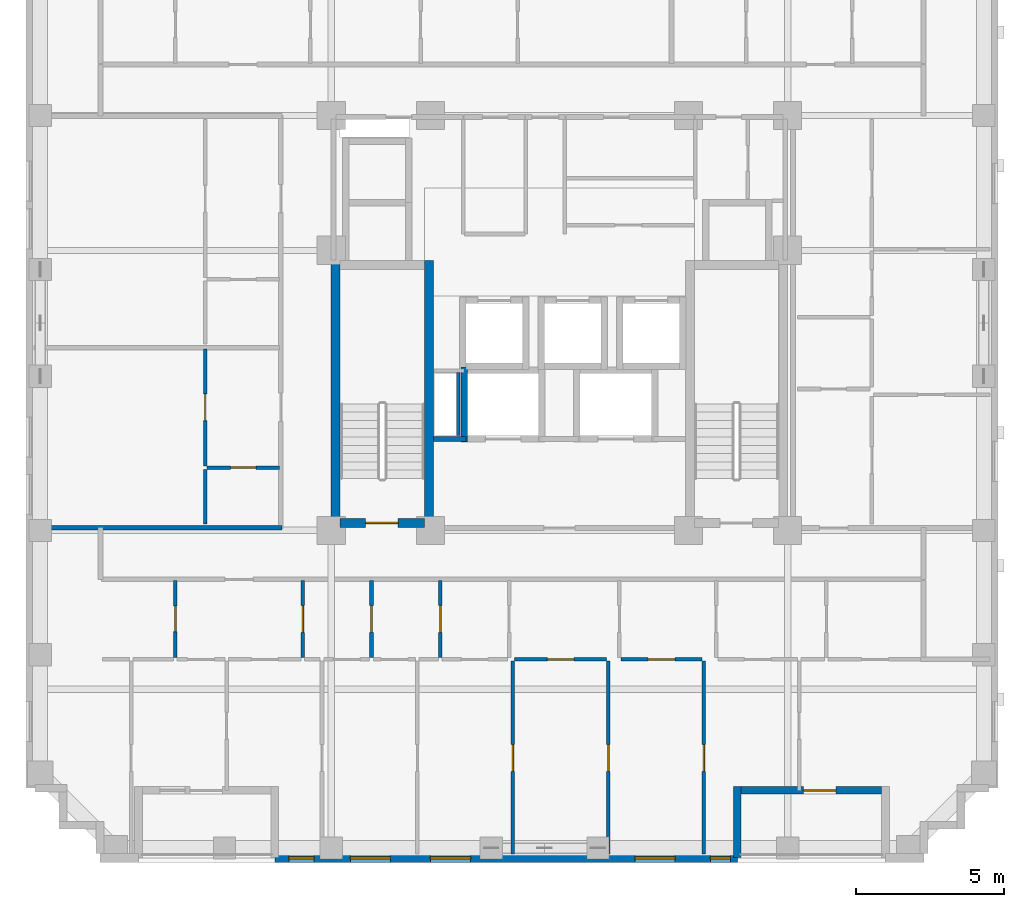
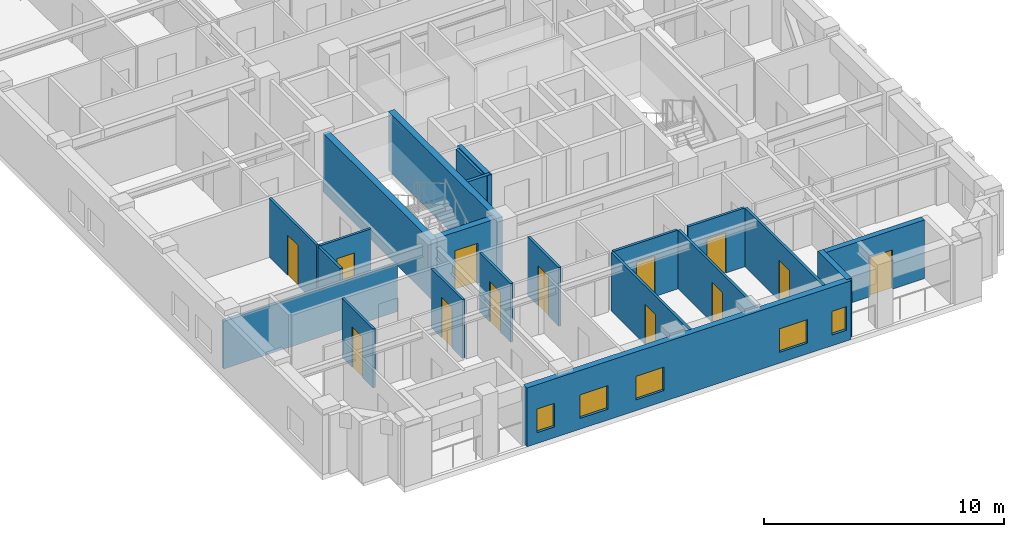
# One storey, part 3 of 12: 22 walls, 13 doors, 5 windows, 18 openings.
"""IFC4 building model written with IfcOpenShell, lengths in metres."""

from ifc_helpers import new_model, si_unit, derived_unit, direction, frame, frame_2d, origin, place, context, subcontext, project, spatial, rectangle, extrude, material, layer, layer_set, type_object, element, fill, save


model = new_model("IFC4")

# Units and contexts
model_context = context("Model", 3, precision=1e-05, world=origin(), true_north=direction((0.0, 1.0)))
body_context = subcontext(model_context, "Body", "Model", "MODEL_VIEW")
ifc_project = project(units=[si_unit("LENGTHUNIT", "METRE"), si_unit("AREAUNIT", "SQUARE_METRE"), si_unit("VOLUMEUNIT", "CUBIC_METRE"), si_unit("PLANEANGLEUNIT", "RADIAN"), si_unit("MASSUNIT", "GRAM", prefix="KILO"), derived_unit("THERMALTRANSMITTANCEUNIT", [(si_unit("MASSUNIT", "GRAM", prefix="KILO"), 1), (si_unit("TIMEUNIT", "SECOND"), -3), (si_unit("THERMODYNAMICTEMPERATUREUNIT", "KELVIN"), -1)])], contexts=[model_context])

# Site, building, storey
site_placement = place(None, origin())
site = spatial("IfcSite", under=ifc_project, at=site_placement, CompositionType="ELEMENT")
building_placement = place(site_placement, origin())
building = spatial("IfcBuilding", under=site, at=building_placement, Name="Korrvale Station Residences", CompositionType="ELEMENT")
storey_placement = place(building_placement, frame((0.0, 0.0, 130.89990234375)))
storey = spatial("IfcBuildingStorey", under=building, at=storey_placement, Name="L37", CompositionType="ELEMENT", Elevation=130.89990234375)

# Walls
ifc_material_1 = material(Name="Concrete C60/75", Category="concrete")
ifc_layer_1 = layer(ifc_material_1, 0.300048828125, Name="Concrete C60/75")
ifc_layer_set_1 = layer_set([ifc_layer_1], Name="Concrete C60/75")
wall_type_1 = type_object("IfcWallType", Name="WAL-CORE-300-C60", PredefinedType="SHEAR", material=ifc_layer_set_1)
for number, where, z_axis, x_axis, name in (
    (1, (17.949951171875, 15.10009765625, 0.0), (0.0, 0.0, 1.0), (0.0, 1.0, 0.0), "L37 ST-1 Core Shear Wall West"),
    (2, (21.10009765625, 15.10009765625, 0.0), (0.0, 0.0, 1.0), (0.0, 1.0, 0.0), "L37 ST-1 Core Shear Wall East"),
):
    element("IfcWall", number, at=place(storey_placement, frame(where, z_axis=z_axis, x_axis=x_axis)), inside=storey, type_object=wall_type_1, Name=name, PredefinedType="SHEAR", context=body_context, shape_type="SweptSolid", body=[
        extrude(rectangle(XDim=9.0, YDim=0.300048828125, at=frame_2d((4.5, 0.0))), origin(), (0.0, 0.0, 1.0), 2.989990234375),
    ])

# Wall, opening, door
wall_1_placement = place(storey_placement, frame((18.10009765625, 15.25, 0.0), z_axis=(0.0, 0.0, 1.0), x_axis=(1.0, 0.0, 0.0)))
wall_1 = element("IfcWall", 3, at=wall_1_placement, inside=storey, type_object=wall_type_1, Name="L37 ST-1 Core Shear Wall South", PredefinedType="SHEAR", context=body_context, shape_type="SweptSolid", body=[
    extrude(rectangle(XDim=2.849853515625, YDim=0.300048828125, at=frame_2d((1.4248046875, 0.0))), origin(), (0.0, 0.0, 1.0), 2.989990234375),
])
opening_1_placement = place(wall_1_placement, frame((0.860107421875, 0.0, 0.0)))
opening_1 = element("IfcOpeningElement", 4, at=opening_1_placement, cuts=wall_1, Name="Opening SD-1100", PredefinedType="OPENING", context=body_context, shape_type="SweptSolid", body=[
    extrude(rectangle(XDim=1.10009765625, YDim=2.050048828125, at=frame_2d((0.550048828125, 1.02490234375))), frame((0.0, 0.16015625, 0.0), z_axis=(0.0, -1.0, 0.0), x_axis=(1.0, 0.0, 0.0)), (0.0, 0.0, 1.0), 0.320068359375),
])
ifc_material_2 = material(Name="Hollow-metal fire-rated stair door with closer", Category="steel")
door_type_1 = type_object("IfcDoorType", Name="DR-STAIR-1100", OperationType="NOTDEFINED", PredefinedType="DOOR", material=ifc_material_2)
door_1_placement = place(opening_1_placement, origin())
door_1 = element("IfcDoor", 5, at=door_1_placement, inside=storey, type_object=door_type_1, Name="L37 ST-1 Exit Stair Door", OperationType="SINGLE_SWING_LEFT", OverallHeight=2.050048828125, OverallWidth=1.10009765625, PredefinedType="DOOR", context=body_context, shape_type="SweptSolid", body=[
    extrude(rectangle(XDim=1.10009765625, YDim=2.050048828125, at=frame_2d((0.550048828125, 1.02490234375))), frame((0.0, 0.02490234375, 0.0), z_axis=(0.0, -1.0, 0.0), x_axis=(1.0, 0.0, 0.0)), (0.0, 0.0, 1.0), 0.050048828125),
])
fill(opening_1, door_1)

ifc_material_3 = material(Name="Precast concrete C45/55", Category="concrete")
ifc_layer_2 = layer(ifc_material_3, 0.260009765625, Name="Precast concrete C45/55")
ifc_layer_set_2 = layer_set([ifc_layer_2], Name="Precast concrete C45/55")
wall_type_2 = type_object("IfcWallType", Name="WAL-EXT-LOG260", PredefinedType="SOLIDWALL", material=ifc_layer_set_2)
wall_2_placement = place(storey_placement, frame((36.365966796875, 6.22998046875, 0.0), z_axis=(0.0, 0.0, 1.0), x_axis=(-1.0, 0.0, 0.0)))
wall_2 = element("IfcWall", 6, at=wall_2_placement, inside=storey, type_object=wall_type_2, Name="L37 Recessed Loggia Wall BAL-L37-S2-B", PredefinedType="SOLIDWALL", context=body_context, shape_type="SweptSolid", body=[
    extrude(rectangle(XDim=4.73193359375, YDim=0.260009765625, at=frame_2d((2.365966796875, 0.0))), origin(), (0.0, 0.0, 1.0), 2.989990234375),
])
opening_2_placement = place(wall_2_placement, frame((1.535888671875, 0.0, 0.0)))
opening_2 = element("IfcOpeningElement", 7, at=opening_2_placement, cuts=wall_2, Name="Opening BD-01", PredefinedType="OPENING", context=body_context, shape_type="SweptSolid", body=[
    extrude(rectangle(XDim=1.10009765625, YDim=2.0, at=frame_2d((0.550048828125, 1.0))), frame((0.0, 0.14013671875, 0.0), z_axis=(0.0, -1.0, 0.0), x_axis=(1.0, 0.0, 0.0)), (0.0, 0.0, 1.0), 0.280029296875),
])
ifc_material_4 = material(Name="Exterior thermally broken aluminium glazed balcony door", Category="aluminium")
door_type_2 = type_object("IfcDoorType", Name="DR-EXT-BAL", OperationType="NOTDEFINED", PredefinedType="DOOR", material=ifc_material_4)
door_2_placement = place(opening_2_placement, origin())
door_2 = element("IfcDoor", 8, at=door_2_placement, inside=storey, type_object=door_type_2, Name="L37 Loggia Balcony Door BAL-L37-S2", OperationType="SINGLE_SWING_RIGHT", OverallHeight=2.0, OverallWidth=1.10009765625, PredefinedType="DOOR", context=body_context, shape_type="SweptSolid", body=[
    extrude(rectangle(XDim=1.10009765625, YDim=2.0, at=frame_2d((0.550048828125, 1.0))), frame((0.0, 0.02490234375, 0.0), z_axis=(0.0, -1.0, 0.0), x_axis=(1.0, 0.0, 0.0)), (0.0, 0.0, 1.0), 0.050048828125),
])
fill(opening_2, door_2)

# Wall
wall_3_placement = place(storey_placement, frame((31.5, 6.360107421875, 0.0), z_axis=(0.0, 0.0, 1.0), x_axis=(0.0, -1.0, 0.0)))
element("IfcWall", 9, at=wall_3_placement, inside=storey, type_object=wall_type_2, Name="L37 Recessed Loggia Wall BAL-L37-S2-R", PredefinedType="SOLIDWALL", context=body_context, shape_type="SweptSolid", body=[
    extrude(rectangle(XDim=2.400146484375, YDim=0.260009765625, at=frame_2d((1.2001953125, 0.0))), origin(), (0.0, 0.0, 1.0), 2.989990234375),
])

# Wall, openings, windows
ifc_layer_3 = layer(ifc_material_3, 0.300048828125, Name="Precast concrete C45/55")
ifc_layer_set_3 = layer_set([ifc_layer_3], Name="Precast concrete C45/55")
wall_type_3 = type_object("IfcWallType", Name="WAL-EXT-PC300", PredefinedType="SOLIDWALL", material=ifc_layer_set_3)
wall_4_placement = place(storey_placement, frame((31.5, 3.949951171875, 0.0), z_axis=(0.0, 0.0, 1.0), x_axis=(-1.0, 0.0, 0.0)))
wall_4 = element("IfcWall", 10, at=wall_4_placement, inside=storey, type_object=wall_type_3, Name="L37 South Exterior Precast Wall 2", PredefinedType="SOLIDWALL", context=body_context, shape_type="SweptSolid", body=[
    extrude(rectangle(XDim=15.60009765625, YDim=0.300048828125, at=frame_2d((7.800048828125, 0.0))), origin(), (0.0, 0.0, 1.0), 2.989990234375),
])
opening_3_placement = place(wall_4_placement, frame((14.27490234375, 0.0, 0.550048828125)))
opening_3 = element("IfcOpeningElement", 11, at=opening_3_placement, cuts=wall_4, Name="Opening W-11", PredefinedType="OPENING", context=body_context, shape_type="SweptSolid", body=[
    extrude(rectangle(XDim=0.85009765625, YDim=1.199951171875, at=frame_2d((0.425048828125, 0.60009765625))), frame((0.0, 0.16015625, 0.0), z_axis=(0.0, -1.0, 0.0), x_axis=(1.0, 0.0, 0.0)), (0.0, 0.0, 1.0), 0.320068359375),
])
opening_4_placement = place(wall_4_placement, frame((11.699951171875, 0.0, 0.550048828125)))
opening_4 = element("IfcOpeningElement", 12, at=opening_4_placement, cuts=wall_4, Name="Opening W-10", PredefinedType="OPENING", context=body_context, shape_type="SweptSolid", body=[
    extrude(rectangle(XDim=1.35009765625, YDim=1.199951171875, at=frame_2d((0.675048828125, 0.60009765625))), frame((0.0, 0.16015625, 0.0), z_axis=(0.0, -1.0, 0.0), x_axis=(1.0, 0.0, 0.0)), (0.0, 0.0, 1.0), 0.320068359375),
])
opening_5_placement = place(wall_4_placement, frame((9.0, 0.0, 0.550048828125)))
opening_5 = element("IfcOpeningElement", 13, at=opening_5_placement, cuts=wall_4, Name="Opening W-10", PredefinedType="OPENING", context=body_context, shape_type="SweptSolid", body=[
    extrude(rectangle(XDim=1.35009765625, YDim=1.199951171875, at=frame_2d((0.675048828125, 0.60009765625))), frame((0.0, 0.16015625, 0.0), z_axis=(0.0, -1.0, 0.0), x_axis=(1.0, 0.0, 0.0)), (0.0, 0.0, 1.0), 0.320068359375),
])
opening_6_placement = place(wall_4_placement, frame((2.10009765625, 0.0, 0.550048828125)))
opening_6 = element("IfcOpeningElement", 14, at=opening_6_placement, cuts=wall_4, Name="Opening W-10", PredefinedType="OPENING", context=body_context, shape_type="SweptSolid", body=[
    extrude(rectangle(XDim=1.35009765625, YDim=1.199951171875, at=frame_2d((0.675048828125, 0.60009765625))), frame((0.0, 0.16015625, 0.0), z_axis=(0.0, -1.0, 0.0), x_axis=(1.0, 0.0, 0.0)), (0.0, 0.0, 1.0), 0.320068359375),
])
opening_7_placement = place(wall_4_placement, frame((0.22998046875, 0.0, 0.550048828125)))
opening_7 = element("IfcOpeningElement", 15, at=opening_7_placement, cuts=wall_4, Name="Opening W-12", PredefinedType="OPENING", context=body_context, shape_type="SweptSolid", body=[
    extrude(rectangle(XDim=0.679931640625, YDim=1.199951171875, at=frame_2d((0.33984375, 0.60009765625))), frame((0.0, 0.16015625, 0.0), z_axis=(0.0, -1.0, 0.0), x_axis=(1.0, 0.0, 0.0)), (0.0, 0.0, 1.0), 0.320068359375),
])
ifc_material_5 = material(Name="Thermally broken aluminium frame with triple low-e glazing", Category="aluminium")
window_type_1 = type_object("IfcWindowType", Name="WIN-W10", PartitioningType="SINGLE_PANEL", PredefinedType="WINDOW", material=ifc_material_5)
window_1_placement = place(opening_4_placement, origin())
window_1 = element("IfcWindow", 16, at=window_1_placement, inside=storey, type_object=window_type_1, Name="L37 Punched Window 04", OverallHeight=1.199951171875, OverallWidth=1.35009765625, PartitioningType="SINGLE_PANEL", PredefinedType="WINDOW", context=body_context, shape_type="SweptSolid", body=[
    extrude(rectangle(XDim=1.35009765625, YDim=1.199951171875, at=frame_2d((0.675048828125, 0.60009765625))), frame((0.0, 0.030029296875, 0.0), z_axis=(0.0, -1.0, 0.0), x_axis=(1.0, 0.0, 0.0)), (0.0, 0.0, 1.0), 0.06005859375),
])
fill(opening_4, window_1)
window_2_placement = place(opening_5_placement, origin())
window_2 = element("IfcWindow", 17, at=window_2_placement, inside=storey, type_object=window_type_1, Name="L37 Punched Window 05", OverallHeight=1.199951171875, OverallWidth=1.35009765625, PartitioningType="SINGLE_PANEL", PredefinedType="WINDOW", context=body_context, shape_type="SweptSolid", body=[
    extrude(rectangle(XDim=1.35009765625, YDim=1.199951171875, at=frame_2d((0.675048828125, 0.60009765625))), frame((0.0, 0.030029296875, 0.0), z_axis=(0.0, -1.0, 0.0), x_axis=(1.0, 0.0, 0.0)), (0.0, 0.0, 1.0), 0.06005859375),
])
fill(opening_5, window_2)
window_3_placement = place(opening_6_placement, origin())
window_3 = element("IfcWindow", 18, at=window_3_placement, inside=storey, type_object=window_type_1, Name="L37 Punched Window 06", OverallHeight=1.199951171875, OverallWidth=1.35009765625, PartitioningType="SINGLE_PANEL", PredefinedType="WINDOW", context=body_context, shape_type="SweptSolid", body=[
    extrude(rectangle(XDim=1.35009765625, YDim=1.199951171875, at=frame_2d((0.675048828125, 0.60009765625))), frame((0.0, 0.030029296875, 0.0), z_axis=(0.0, -1.0, 0.0), x_axis=(1.0, 0.0, 0.0)), (0.0, 0.0, 1.0), 0.06005859375),
])
fill(opening_6, window_3)
window_type_2 = type_object("IfcWindowType", Name="WIN-W11", PartitioningType="SINGLE_PANEL", PredefinedType="WINDOW", material=ifc_material_5)
window_4_placement = place(opening_3_placement, origin())
window_4 = element("IfcWindow", 19, at=window_4_placement, inside=storey, type_object=window_type_2, Name="L37 Punched Window 03", OverallHeight=1.199951171875, OverallWidth=0.85009765625, PartitioningType="SINGLE_PANEL", PredefinedType="WINDOW", context=body_context, shape_type="SweptSolid", body=[
    extrude(rectangle(XDim=0.85009765625, YDim=1.199951171875, at=frame_2d((0.425048828125, 0.60009765625))), frame((0.0, 0.030029296875, 0.0), z_axis=(0.0, -1.0, 0.0), x_axis=(1.0, 0.0, 0.0)), (0.0, 0.0, 1.0), 0.06005859375),
])
fill(opening_3, window_4)
window_type_3 = type_object("IfcWindowType", Name="WIN-W12", PartitioningType="SINGLE_PANEL", PredefinedType="WINDOW", material=ifc_material_5)
window_5_placement = place(opening_7_placement, origin())
window_5 = element("IfcWindow", 20, at=window_5_placement, inside=storey, type_object=window_type_3, Name="L37 Punched Window 07", OverallHeight=1.199951171875, OverallWidth=0.679931640625, PartitioningType="SINGLE_PANEL", PredefinedType="WINDOW", context=body_context, shape_type="SweptSolid", body=[
    extrude(rectangle(XDim=0.679931640625, YDim=1.199951171875, at=frame_2d((0.33984375, 0.60009765625))), frame((0.0, 0.030029296875, 0.0), z_axis=(0.0, -1.0, 0.0), x_axis=(1.0, 0.0, 0.0)), (0.0, 0.0, 1.0), 0.06005859375),
])
fill(opening_7, window_5)

# Wall
ifc_material_6 = material(Name="Acoustic steel-stud gypsum board partition", Category="steel")
ifc_layer_4 = layer(ifc_material_6, 0.1201171875, Name="Acoustic steel-stud gypsum board partition")
ifc_layer_set_4 = layer_set([ifc_layer_4], Name="Acoustic steel-stud gypsum board partition")
wall_type_4 = type_object("IfcWallType", Name="WAL-PART-125", PredefinedType="PARTITIONING", material=ifc_layer_set_4)
wall_5_placement = place(storey_placement, frame((22.080078125, 18.199951171875, 0.0), z_axis=(0.0, 0.0, 1.0), x_axis=(0.0, 1.0, 0.0)))
element("IfcWall", 21, at=wall_5_placement, inside=storey, type_object=wall_type_4, Name="L37 Core Partition CW-RSWT", PredefinedType="PARTITIONING", context=body_context, shape_type="SweptSolid", body=[
    extrude(rectangle(XDim=2.1201171875, YDim=0.1201171875, at=frame_2d((1.06005859375, 0.0))), origin(), (0.0, 0.0, 1.0), 2.989990234375),
])

# Wall, opening, door
wall_6_placement = place(storey_placement, frame((12.5400390625, 10.7099609375, 0.0), z_axis=(0.0, 0.0, 1.0), x_axis=(0.0, 1.0, 0.0)))
wall_6 = element("IfcWall", 22, at=wall_6_placement, inside=storey, type_object=wall_type_4, Name="L37 Suite Partition U01-V01", PredefinedType="PARTITIONING", context=body_context, shape_type="SweptSolid", body=[
    extrude(rectangle(XDim=2.60009765625, YDim=0.1201171875, at=frame_2d((1.300048828125, 0.0))), origin(), (0.0, 0.0, 1.0), 2.989990234375),
])
opening_8_placement = place(wall_6_placement, frame((0.8701171875, 0.0, 0.0)))
opening_8 = element("IfcOpeningElement", 23, at=opening_8_placement, cuts=wall_6, Name="Opening DB-860", PredefinedType="OPENING", context=body_context, shape_type="SweptSolid", body=[
    extrude(rectangle(XDim=0.860107421875, YDim=2.050048828125, at=frame_2d((0.43017578125, 1.02490234375))), frame((0.0, 0.070068359375, 0.0), z_axis=(0.0, -1.0, 0.0), x_axis=(1.0, 0.0, 0.0)), (0.0, 0.0, 1.0), 0.14013671875),
])
ifc_material_7 = material(Name="Moisture-resistant solid-core bathroom door", Category="timber")
door_type_3 = type_object("IfcDoorType", Name="DR-BATH-860", OperationType="NOTDEFINED", PredefinedType="DOOR", material=ifc_material_7)
door_3_placement = place(opening_8_placement, origin())
door_3 = element("IfcDoor", 24, at=door_3_placement, inside=storey, type_object=door_type_3, Name="L37 Studio Apartment L37-U01 Bathroom Door", OperationType="SINGLE_SWING_LEFT", OverallHeight=2.050048828125, OverallWidth=0.860107421875, PredefinedType="DOOR", context=body_context, shape_type="SweptSolid", body=[
    extrude(rectangle(XDim=0.860107421875, YDim=2.050048828125, at=frame_2d((0.43017578125, 1.02490234375))), frame((0.0, 0.02490234375, 0.0), z_axis=(0.0, -1.0, 0.0), x_axis=(1.0, 0.0, 0.0)), (0.0, 0.0, 1.0), 0.050048828125),
])
fill(opening_8, door_3)

wall_7_placement = place(storey_placement, frame((16.840087890625, 10.7099609375, 0.0), z_axis=(0.0, 0.0, 1.0), x_axis=(0.0, 1.0, 0.0)))
wall_7 = element("IfcWall", 25, at=wall_7_placement, inside=storey, type_object=wall_type_4, Name="L37 Suite Partition U01-V12", PredefinedType="PARTITIONING", context=body_context, shape_type="SweptSolid", body=[
    extrude(rectangle(XDim=2.60009765625, YDim=0.1201171875, at=frame_2d((1.300048828125, 0.0))), origin(), (0.0, 0.0, 1.0), 2.989990234375),
])
opening_9_placement = place(wall_7_placement, frame((0.85009765625, 0.0, 0.0)))
opening_9 = element("IfcOpeningElement", 26, at=opening_9_placement, cuts=wall_7, Name="Opening DI-900", PredefinedType="OPENING", context=body_context, shape_type="SweptSolid", body=[
    extrude(rectangle(XDim=0.89990234375, YDim=2.050048828125, at=frame_2d((0.449951171875, 1.02490234375))), frame((0.0, 0.070068359375, 0.0), z_axis=(0.0, -1.0, 0.0), x_axis=(1.0, 0.0, 0.0)), (0.0, 0.0, 1.0), 0.14013671875),
])
ifc_material_8 = material(Name="Painted solid-core timber interior room door", Category="wood")
door_type_4 = type_object("IfcDoorType", Name="DR-INT-900", OperationType="NOTDEFINED", PredefinedType="DOOR", material=ifc_material_8)
door_4_placement = place(opening_9_placement, origin())
door_4 = element("IfcDoor", 27, at=door_4_placement, inside=storey, type_object=door_type_4, Name="L37 Studio Apartment L37-U01 Kitchen Door", OperationType="SINGLE_SWING_RIGHT", OverallHeight=2.050048828125, OverallWidth=0.89990234375, PredefinedType="DOOR", context=body_context, shape_type="SweptSolid", body=[
    extrude(rectangle(XDim=0.89990234375, YDim=2.050048828125, at=frame_2d((0.449951171875, 1.02490234375))), frame((0.0, 0.02490234375, 0.0), z_axis=(0.0, -1.0, 0.0), x_axis=(1.0, 0.0, 0.0)), (0.0, 0.0, 1.0), 0.050048828125),
])
fill(opening_9, door_4)

wall_8_placement = place(storey_placement, frame((19.159912109375, 10.7099609375, 0.0), z_axis=(0.0, 0.0, 1.0), x_axis=(0.0, 1.0, 0.0)))
wall_8 = element("IfcWall", 28, at=wall_8_placement, inside=storey, type_object=wall_type_4, Name="L37 Suite Partition U01-V23", PredefinedType="PARTITIONING", context=body_context, shape_type="SweptSolid", body=[
    extrude(rectangle(XDim=2.60009765625, YDim=0.1201171875, at=frame_2d((1.300048828125, 0.0))), origin(), (0.0, 0.0, 1.0), 2.989990234375),
])
opening_10_placement = place(wall_8_placement, frame((0.85009765625, 0.0, 0.0)))
opening_10 = element("IfcOpeningElement", 29, at=opening_10_placement, cuts=wall_8, Name="Opening DI-900", PredefinedType="OPENING", context=body_context, shape_type="SweptSolid", body=[
    extrude(rectangle(XDim=0.89990234375, YDim=2.050048828125, at=frame_2d((0.449951171875, 1.02490234375))), frame((0.0, 0.070068359375, 0.0), z_axis=(0.0, -1.0, 0.0), x_axis=(1.0, 0.0, 0.0)), (0.0, 0.0, 1.0), 0.14013671875),
])
door_5_placement = place(opening_10_placement, origin())
door_5 = element("IfcDoor", 30, at=door_5_placement, inside=storey, type_object=door_type_4, Name="L37 Studio Apartment L37-U01 Wardrobe Storage Room Door", OperationType="SINGLE_SWING_LEFT", OverallHeight=2.050048828125, OverallWidth=0.89990234375, PredefinedType="DOOR", context=body_context, shape_type="SweptSolid", body=[
    extrude(rectangle(XDim=0.89990234375, YDim=2.050048828125, at=frame_2d((0.449951171875, 1.02490234375))), frame((0.0, 0.02490234375, 0.0), z_axis=(0.0, -1.0, 0.0), x_axis=(1.0, 0.0, 0.0)), (0.0, 0.0, 1.0), 0.050048828125),
])
fill(opening_10, door_5)

wall_9_placement = place(storey_placement, frame((21.47998046875, 10.7099609375, 0.0), z_axis=(0.0, 0.0, 1.0), x_axis=(0.0, 1.0, 0.0)))
wall_9 = element("IfcWall", 31, at=wall_9_placement, inside=storey, type_object=wall_type_4, Name="L37 Suite Partition U01-V34", PredefinedType="PARTITIONING", context=body_context, shape_type="SweptSolid", body=[
    extrude(rectangle(XDim=2.60009765625, YDim=0.1201171875, at=frame_2d((1.300048828125, 0.0))), origin(), (0.0, 0.0, 1.0), 2.989990234375),
])
opening_11_placement = place(wall_9_placement, frame((0.85009765625, 0.0, 0.0)))
opening_11 = element("IfcOpeningElement", 32, at=opening_11_placement, cuts=wall_9, Name="Opening DI-900", PredefinedType="OPENING", context=body_context, shape_type="SweptSolid", body=[
    extrude(rectangle(XDim=0.89990234375, YDim=2.050048828125, at=frame_2d((0.449951171875, 1.02490234375))), frame((0.0, 0.070068359375, 0.0), z_axis=(0.0, -1.0, 0.0), x_axis=(1.0, 0.0, 0.0)), (0.0, 0.0, 1.0), 0.14013671875),
])
door_6_placement = place(opening_11_placement, origin())
door_6 = element("IfcDoor", 33, at=door_6_placement, inside=storey, type_object=door_type_4, Name="L37 Studio Apartment L37-U01 Wardrobe Storage Room Door", OperationType="SINGLE_SWING_LEFT", OverallHeight=2.050048828125, OverallWidth=0.89990234375, PredefinedType="DOOR", context=body_context, shape_type="SweptSolid", body=[
    extrude(rectangle(XDim=0.89990234375, YDim=2.050048828125, at=frame_2d((0.449951171875, 1.02490234375))), frame((0.0, 0.02490234375, 0.0), z_axis=(0.0, -1.0, 0.0), x_axis=(1.0, 0.0, 0.0)), (0.0, 0.0, 1.0), 0.050048828125),
])
fill(opening_11, door_6)

wall_10_placement = place(storey_placement, frame((23.989990234375, 10.64990234375, 0.0), z_axis=(0.0, 0.0, 1.0), x_axis=(1.0, 0.0, 0.0)))
wall_10 = element("IfcWall", 34, at=wall_10_placement, inside=storey, type_object=wall_type_4, Name="L37 Suite Partition U01-H514", PredefinedType="PARTITIONING", context=body_context, shape_type="SweptSolid", body=[
    extrude(rectangle(XDim=3.10009765625, YDim=0.1201171875, at=frame_2d((1.550048828125, 0.0))), origin(), (0.0, 0.0, 1.0), 2.989990234375),
])
opening_12_placement = place(wall_10_placement, frame((1.10009765625, 0.0, 0.0)))
opening_12 = element("IfcOpeningElement", 35, at=opening_12_placement, cuts=wall_10, Name="Opening DI-900", PredefinedType="OPENING", context=body_context, shape_type="SweptSolid", body=[
    extrude(rectangle(XDim=0.89990234375, YDim=2.050048828125, at=frame_2d((0.449951171875, 1.02490234375))), frame((0.0, 0.070068359375, 0.0), z_axis=(0.0, -1.0, 0.0), x_axis=(1.0, 0.0, 0.0)), (0.0, 0.0, 1.0), 0.14013671875),
])
door_7_placement = place(opening_12_placement, origin())
door_7 = element("IfcDoor", 36, at=door_7_placement, inside=storey, type_object=door_type_4, Name="L37 Studio Apartment L37-U01 Utility and Laundry Room Door", OperationType="SINGLE_SWING_RIGHT", OverallHeight=2.050048828125, OverallWidth=0.89990234375, PredefinedType="DOOR", context=body_context, shape_type="SweptSolid", body=[
    extrude(rectangle(XDim=0.89990234375, YDim=2.050048828125, at=frame_2d((0.449951171875, 1.02490234375))), frame((0.0, 0.02490234375, 0.0), z_axis=(0.0, -1.0, 0.0), x_axis=(1.0, 0.0, 0.0)), (0.0, 0.0, 1.0), 0.050048828125),
])
fill(opening_12, door_7)

wall_11_placement = place(storey_placement, frame((27.580078125, 10.64990234375, 0.0), z_axis=(0.0, 0.0, 1.0), x_axis=(1.0, 0.0, 0.0)))
wall_11 = element("IfcWall", 37, at=wall_11_placement, inside=storey, type_object=wall_type_4, Name="L37 Suite Partition U01-H615", PredefinedType="PARTITIONING", context=body_context, shape_type="SweptSolid", body=[
    extrude(rectangle(XDim=2.72998046875, YDim=0.1201171875, at=frame_2d((1.364990234375, 0.0))), origin(), (0.0, 0.0, 1.0), 2.989990234375),
])
opening_13_placement = place(wall_11_placement, frame((0.9150390625, 0.0, 0.0)))
opening_13 = element("IfcOpeningElement", 38, at=opening_13_placement, cuts=wall_11, Name="Opening DI-900", PredefinedType="OPENING", context=body_context, shape_type="SweptSolid", body=[
    extrude(rectangle(XDim=0.89990234375, YDim=2.050048828125, at=frame_2d((0.449951171875, 1.02490234375))), frame((0.0, 0.070068359375, 0.0), z_axis=(0.0, -1.0, 0.0), x_axis=(1.0, 0.0, 0.0)), (0.0, 0.0, 1.0), 0.14013671875),
])
door_8_placement = place(opening_13_placement, origin())
door_8 = element("IfcDoor", 39, at=door_8_placement, inside=storey, type_object=door_type_4, Name="L37 Studio Apartment L37-U01 Storage Closet 2 Door", OperationType="SINGLE_SWING_RIGHT", OverallHeight=2.050048828125, OverallWidth=0.89990234375, PredefinedType="DOOR", context=body_context, shape_type="SweptSolid", body=[
    extrude(rectangle(XDim=0.89990234375, YDim=2.050048828125, at=frame_2d((0.449951171875, 1.02490234375))), frame((0.0, 0.02490234375, 0.0), z_axis=(0.0, -1.0, 0.0), x_axis=(1.0, 0.0, 0.0)), (0.0, 0.0, 1.0), 0.050048828125),
])
fill(opening_13, door_8)

wall_12_placement = place(storey_placement, frame((23.929931640625, 4.080078125, 0.0), z_axis=(0.0, 0.0, 1.0), x_axis=(0.0, 1.0, 0.0)))
wall_12 = element("IfcWall", 40, at=wall_12_placement, inside=storey, type_object=wall_type_4, Name="L37 Suite Partition U01-V1314", PredefinedType="PARTITIONING", context=body_context, shape_type="SweptSolid", body=[
    extrude(rectangle(XDim=6.510009765625, YDim=0.1201171875, at=frame_2d((3.2548828125, 0.0))), origin(), (0.0, 0.0, 1.0), 2.989990234375),
])
opening_14_placement = place(wall_12_placement, frame((2.7900390625, 0.0, 0.0)))
opening_14 = element("IfcOpeningElement", 41, at=opening_14_placement, cuts=wall_12, Name="Opening DI-900", PredefinedType="OPENING", context=body_context, shape_type="SweptSolid", body=[
    extrude(rectangle(XDim=0.89990234375, YDim=2.050048828125, at=frame_2d((0.449951171875, 1.02490234375))), frame((0.0, 0.070068359375, 0.0), z_axis=(0.0, -1.0, 0.0), x_axis=(1.0, 0.0, 0.0)), (0.0, 0.0, 1.0), 0.14013671875),
])
door_9_placement = place(opening_14_placement, origin())
door_9 = element("IfcDoor", 42, at=door_9_placement, inside=storey, type_object=door_type_4, Name="L37 Studio Apartment L37-U01 Formal Dining Room Door", OperationType="SINGLE_SWING_RIGHT", OverallHeight=2.050048828125, OverallWidth=0.89990234375, PredefinedType="DOOR", context=body_context, shape_type="SweptSolid", body=[
    extrude(rectangle(XDim=0.89990234375, YDim=2.050048828125, at=frame_2d((0.449951171875, 1.02490234375))), frame((0.0, 0.02490234375, 0.0), z_axis=(0.0, -1.0, 0.0), x_axis=(1.0, 0.0, 0.0)), (0.0, 0.0, 1.0), 0.050048828125),
])
fill(opening_14, door_9)

wall_13_placement = place(storey_placement, frame((27.14990234375, 4.080078125, 0.0), z_axis=(0.0, 0.0, 1.0), x_axis=(0.0, 1.0, 0.0)))
wall_13 = element("IfcWall", 43, at=wall_13_placement, inside=storey, type_object=wall_type_4, Name="L37 Suite Partition U01-V1415", PredefinedType="PARTITIONING", context=body_context, shape_type="SweptSolid", body=[
    extrude(rectangle(XDim=6.510009765625, YDim=0.1201171875, at=frame_2d((3.2548828125, 0.0))), origin(), (0.0, 0.0, 1.0), 2.989990234375),
])
opening_15_placement = place(wall_13_placement, frame((2.7900390625, 0.0, 0.0)))
opening_15 = element("IfcOpeningElement", 44, at=opening_15_placement, cuts=wall_13, Name="Opening DI-900", PredefinedType="OPENING", context=body_context, shape_type="SweptSolid", body=[
    extrude(rectangle(XDim=0.89990234375, YDim=2.050048828125, at=frame_2d((0.449951171875, 1.02490234375))), frame((0.0, 0.070068359375, 0.0), z_axis=(0.0, -1.0, 0.0), x_axis=(1.0, 0.0, 0.0)), (0.0, 0.0, 1.0), 0.14013671875),
])
door_10_placement = place(opening_15_placement, origin())
door_10 = element("IfcDoor", 45, at=door_10_placement, inside=storey, type_object=door_type_4, Name="L37 Studio Apartment L37-U01 Walk-In Wardrobe Door", OperationType="SINGLE_SWING_LEFT", OverallHeight=2.050048828125, OverallWidth=0.89990234375, PredefinedType="DOOR", context=body_context, shape_type="SweptSolid", body=[
    extrude(rectangle(XDim=0.89990234375, YDim=2.050048828125, at=frame_2d((0.449951171875, 1.02490234375))), frame((0.0, 0.02490234375, 0.0), z_axis=(0.0, -1.0, 0.0), x_axis=(1.0, 0.0, 0.0)), (0.0, 0.0, 1.0), 0.050048828125),
])
fill(opening_15, door_10)

wall_14_placement = place(storey_placement, frame((30.3701171875, 4.080078125, 0.0), z_axis=(0.0, 0.0, 1.0), x_axis=(0.0, 1.0, 0.0)))
wall_14 = element("IfcWall", 46, at=wall_14_placement, inside=storey, type_object=wall_type_4, Name="L37 Suite Partition U01-V1516", PredefinedType="PARTITIONING", context=body_context, shape_type="SweptSolid", body=[
    extrude(rectangle(XDim=6.510009765625, YDim=0.1201171875, at=frame_2d((3.2548828125, 0.0))), origin(), (0.0, 0.0, 1.0), 2.989990234375),
])
opening_16_placement = place(wall_14_placement, frame((2.7900390625, 0.0, 0.0)))
opening_16 = element("IfcOpeningElement", 47, at=opening_16_placement, cuts=wall_14, Name="Opening DI-900", PredefinedType="OPENING", context=body_context, shape_type="SweptSolid", body=[
    extrude(rectangle(XDim=0.89990234375, YDim=2.050048828125, at=frame_2d((0.449951171875, 1.02490234375))), frame((0.0, 0.070068359375, 0.0), z_axis=(0.0, -1.0, 0.0), x_axis=(1.0, 0.0, 0.0)), (0.0, 0.0, 1.0), 0.14013671875),
])
door_11_placement = place(opening_16_placement, origin())
door_11 = element("IfcDoor", 48, at=door_11_placement, inside=storey, type_object=door_type_4, Name="L37 Studio Apartment L37-U01 Formal Dining Room Door", OperationType="SINGLE_SWING_RIGHT", OverallHeight=2.050048828125, OverallWidth=0.89990234375, PredefinedType="DOOR", context=body_context, shape_type="SweptSolid", body=[
    extrude(rectangle(XDim=0.89990234375, YDim=2.050048828125, at=frame_2d((0.449951171875, 1.02490234375))), frame((0.0, 0.02490234375, 0.0), z_axis=(0.0, -1.0, 0.0), x_axis=(1.0, 0.0, 0.0)), (0.0, 0.0, 1.0), 0.050048828125),
])
fill(opening_16, door_11)

wall_15_placement = place(storey_placement, frame((13.610107421875, 17.1201171875, 0.0), z_axis=(0.0, 0.0, 1.0), x_axis=(1.0, 0.0, 0.0)))
wall_15 = element("IfcWall", 49, at=wall_15_placement, inside=storey, type_object=wall_type_4, Name="L37 Suite Partition U04-H01", PredefinedType="PARTITIONING", context=body_context, shape_type="SweptSolid", body=[
    extrude(rectangle(XDim=2.449951171875, YDim=0.1201171875, at=frame_2d((1.22509765625, 0.0))), origin(), (0.0, 0.0, 1.0), 2.989990234375),
])
opening_17_placement = place(wall_15_placement, frame((0.794921875, 0.0, 0.0)))
opening_17 = element("IfcOpeningElement", 50, at=opening_17_placement, cuts=wall_15, Name="Opening DB-860", PredefinedType="OPENING", context=body_context, shape_type="SweptSolid", body=[
    extrude(rectangle(XDim=0.860107421875, YDim=2.050048828125, at=frame_2d((0.43017578125, 1.02490234375))), frame((0.0, 0.070068359375, 0.0), z_axis=(0.0, -1.0, 0.0), x_axis=(1.0, 0.0, 0.0)), (0.0, 0.0, 1.0), 0.14013671875),
])
door_12_placement = place(opening_17_placement, origin())
door_12 = element("IfcDoor", 51, at=door_12_placement, inside=storey, type_object=door_type_3, Name="L37 Apartment 1BR L37-U04 Bathroom Door", OperationType="SINGLE_SWING_LEFT", OverallHeight=2.050048828125, OverallWidth=0.860107421875, PredefinedType="DOOR", context=body_context, shape_type="SweptSolid", body=[
    extrude(rectangle(XDim=0.860107421875, YDim=2.050048828125, at=frame_2d((0.43017578125, 1.02490234375))), frame((0.0, 0.02490234375, 0.0), z_axis=(0.0, -1.0, 0.0), x_axis=(1.0, 0.0, 0.0)), (0.0, 0.0, 1.0), 0.050048828125),
])
fill(opening_17, door_12)

# Wall
wall_16_placement = place(storey_placement, frame((13.550048828125, 15.2099609375, 0.0), z_axis=(0.0, 0.0, 1.0), x_axis=(0.0, 1.0, 0.0)))
element("IfcWall", 52, at=wall_16_placement, inside=storey, type_object=wall_type_4, Name="L37 Suite Partition U04-V02", PredefinedType="PARTITIONING", context=body_context, shape_type="SweptSolid", body=[
    extrude(rectangle(XDim=1.85009765625, YDim=0.1201171875, at=frame_2d((0.925048828125, 0.0))), origin(), (0.0, 0.0, 1.0), 2.989990234375),
])

# Wall, opening, door
wall_17_placement = place(storey_placement, frame((13.550048828125, 17.179931640625, 0.0), z_axis=(0.0, 0.0, 1.0), x_axis=(0.0, 1.0, 0.0)))
wall_17 = element("IfcWall", 53, at=wall_17_placement, inside=storey, type_object=wall_type_4, Name="L37 Suite Partition U04-V12", PredefinedType="PARTITIONING", context=body_context, shape_type="SweptSolid", body=[
    extrude(rectangle(XDim=3.946044921875, YDim=0.1201171875, at=frame_2d((1.97314453125, 0.0))), origin(), (0.0, 0.0, 1.0), 2.989990234375),
])
opening_18_placement = place(wall_17_placement, frame((1.52294921875, 0.0, 0.0)))
opening_18 = element("IfcOpeningElement", 54, at=opening_18_placement, cuts=wall_17, Name="Opening DI-900", PredefinedType="OPENING", context=body_context, shape_type="SweptSolid", body=[
    extrude(rectangle(XDim=0.89990234375, YDim=2.050048828125, at=frame_2d((0.449951171875, 1.02490234375))), frame((0.0, 0.070068359375, 0.0), z_axis=(0.0, -1.0, 0.0), x_axis=(1.0, 0.0, 0.0)), (0.0, 0.0, 1.0), 0.14013671875),
])
door_13_placement = place(opening_18_placement, origin())
door_13 = element("IfcDoor", 55, at=door_13_placement, inside=storey, type_object=door_type_4, Name="L37 Apartment 1BR L37-U04 Kitchen Door", OperationType="SINGLE_SWING_RIGHT", OverallHeight=2.050048828125, OverallWidth=0.89990234375, PredefinedType="DOOR", context=body_context, shape_type="SweptSolid", body=[
    extrude(rectangle(XDim=0.89990234375, YDim=2.050048828125, at=frame_2d((0.449951171875, 1.02490234375))), frame((0.0, 0.02490234375, 0.0), z_axis=(0.0, -1.0, 0.0), x_axis=(1.0, 0.0, 0.0)), (0.0, 0.0, 1.0), 0.050048828125),
])
fill(opening_18, door_13)

# Walls
ifc_material_9 = material(Name="Fire-rated twin-stud gypsum and mineral wool shaftwall assembly", Category="gypsum")
ifc_layer_5 = layer(ifc_material_9, 0.159912109375, Name="Fire-rated twin-stud gypsum and mineral wool shaftwall assembly")
ifc_layer_set_5 = layer_set([ifc_layer_5], Name="Fire-rated twin-stud gypsum and mineral wool shaftwall assembly")
wall_type_5 = type_object("IfcWallType", Name="WAL-PART-200", PredefinedType="PARTITIONING", material=ifc_layer_set_5)
wall_18_placement = place(storey_placement, frame((21.25, 18.080078125, 0.0), z_axis=(0.0, 0.0, 1.0), x_axis=(1.0, 0.0, 0.0)))
element("IfcWall", 56, at=wall_18_placement, inside=storey, type_object=wall_type_5, Name="L37 Core Partition CW-FFL-N1", PredefinedType="PARTITIONING", context=body_context, shape_type="SweptSolid", body=[
    extrude(rectangle(XDim=1.10009765625, YDim=0.159912109375, at=frame_2d((0.550048828125, 0.0))), origin(), (0.0, 0.0, 1.0), 2.989990234375),
])
wall_19_placement = place(storey_placement, frame((7.780029296875, 15.090087890625, 0.0), z_axis=(0.0, 0.0, 1.0), x_axis=(1.0, 0.0, 0.0)))
element("IfcWall", 57, at=wall_19_placement, inside=storey, type_object=wall_type_5, Name="L37 West Wing South Corridor Wall", PredefinedType="PARTITIONING", context=body_context, shape_type="SweptSolid", body=[
    extrude(rectangle(XDim=8.35986328125, YDim=0.159912109375, at=frame_2d((4.179931640625, 0.0))), origin(), (0.0, 0.0, 1.0), 2.426025390625),
])
ifc_layer_6 = layer(ifc_material_1, 0.219970703125, Name="Concrete C60/75")
ifc_layer_set_6 = layer_set([ifc_layer_6], Name="Concrete C60/75")
wall_type_6 = type_object("IfcWallType", Name="WAL-SHAFT-220-C60", PredefinedType="SHEAR", material=ifc_layer_set_6)
wall_20_placement = place(storey_placement, frame((22.2900390625, 17.97998046875, 0.0), z_axis=(0.0, 0.0, 1.0), x_axis=(0.0, 1.0, 0.0)))
element("IfcWall", 58, at=wall_20_placement, inside=storey, type_object=wall_type_6, Name="L37 Elevator FFL-1 Hoistway Wall West", PredefinedType="SHEAR", context=body_context, shape_type="SweptSolid", body=[
    extrude(rectangle(XDim=2.5400390625, YDim=0.219970703125, at=frame_2d((1.27001953125, 0.0))), origin(), (0.0, 0.0, 1.0), 2.989990234375),
])

save(model, "model.ifc")
